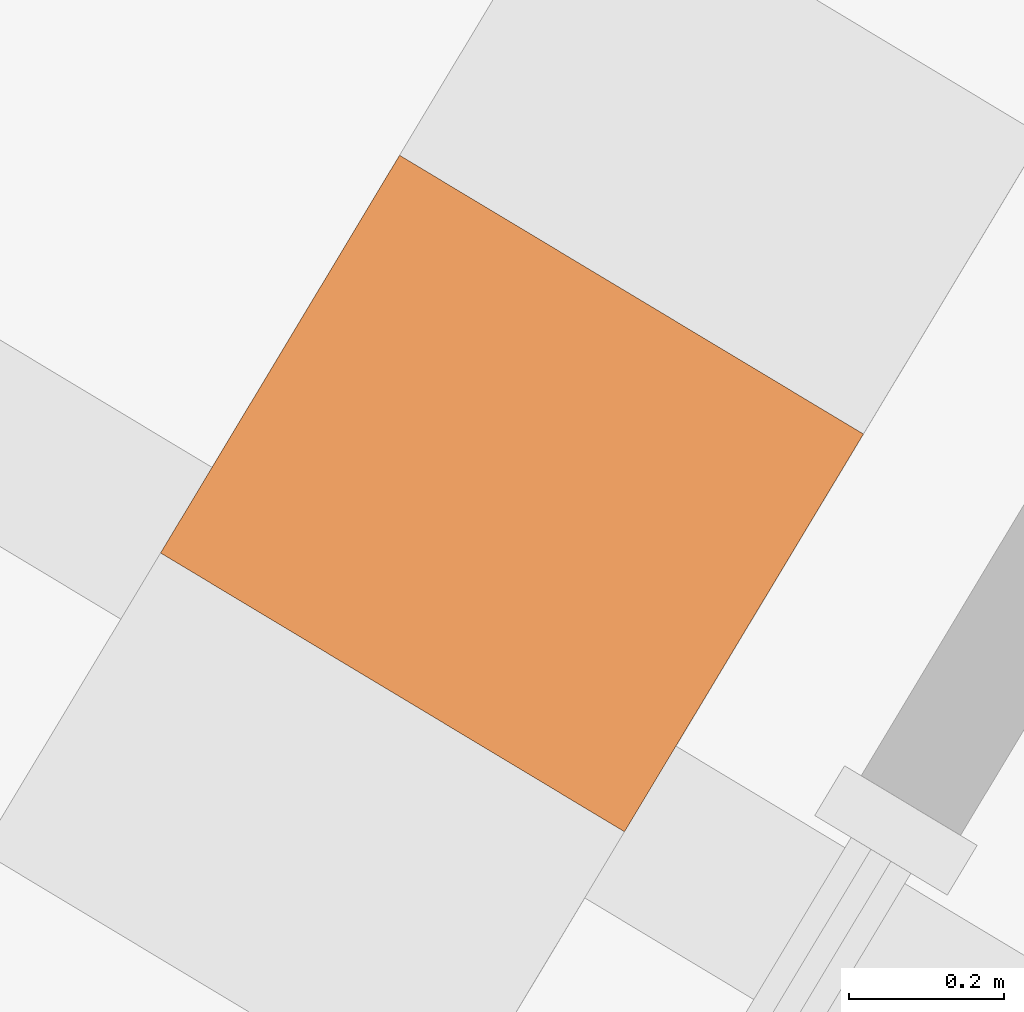
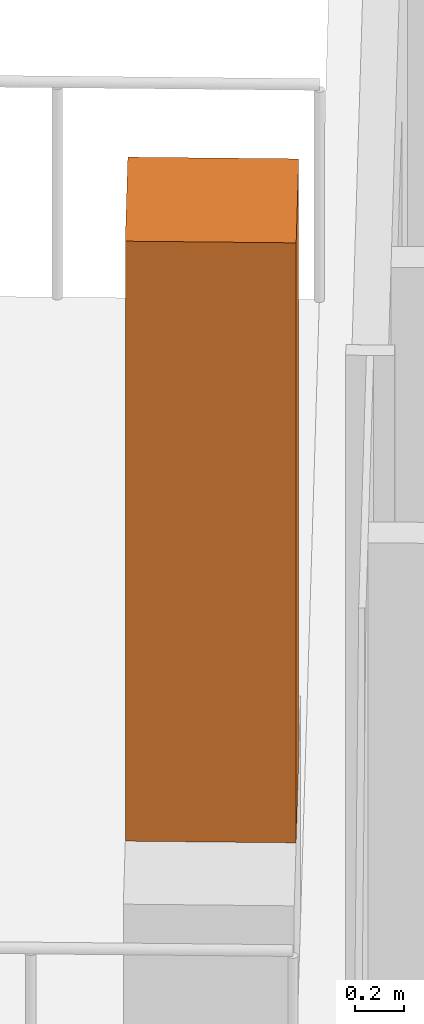
# One storey, part 19 of 19: 1 geographic element.
"""IFC4 building model written with IfcOpenShell, lengths in metres."""

from ifc_helpers import new_model, si_unit, direction, frame, origin, origin_2d, place, context, subcontext, project, spatial, rectangle, extrude, source, transform, mapped, material, type_object, element, save


model = new_model("IFC4")

# Units and contexts
model_context = context("Model", 3, precision=1e-05, world=origin(), true_north=direction((0.0, 1.0)))
body_context = subcontext(model_context, "Body", "Model", "MODEL_VIEW")
ifc_project = project(units=[si_unit("LENGTHUNIT", "METRE"), si_unit("AREAUNIT", "SQUARE_METRE"), si_unit("VOLUMEUNIT", "CUBIC_METRE"), si_unit("PLANEANGLEUNIT", "RADIAN"), si_unit("MASSUNIT", "GRAM", prefix="KILO")], contexts=[model_context])

# Site, building, storey
site_placement = place(None, origin())
site = spatial("IfcSite", under=ifc_project, at=site_placement, CompositionType="ELEMENT")
building_placement = place(site_placement, origin())
building = spatial("IfcBuilding", under=site, at=building_placement, Name="Triune Harvest Tower", CompositionType="ELEMENT")
storey_placement = place(building_placement, frame((0.0, 0.0, 183.5)))
storey = spatial("IfcBuildingStorey", under=building, at=storey_placement, Name="L47", CompositionType="ELEMENT", Elevation=183.5)

# Geographic element
ifc_material = material(Name="TREE-1 tree")
geographic_element_type = type_object("IfcGeographicElementType", Name="TREE-1 tree", PredefinedType="USERDEFINED", material=ifc_material)
shared_shape = source(origin(), body_context, "Body", "SweptSolid", [
    extrude(rectangle(XDim=0.60009765625, YDim=0.699951171875, at=origin_2d()), origin(), (0.0, 0.0, 1.0), 3.0),
])
geographic_element_placement = place(storey_placement, frame((-14.79345703125, 16.788330078125, 1.10009765625), z_axis=(0.0, 0.0, 1.0), x_axis=(-0.515036632219, -0.857168167557, 0.0)))
element("IfcGeographicElement", 1, at=geographic_element_placement, inside=storey, type_object=geographic_element_type, Name="Tree B5-F3 L47.4b", ObjectType="TREE", PredefinedType="USERDEFINED", context=body_context, shape_type="MappedRepresentation", body=[
    mapped(shared_shape, transform((0.0, 0.0, 0.0), scale=1.0)),
])

save(model, "model.ifc")
